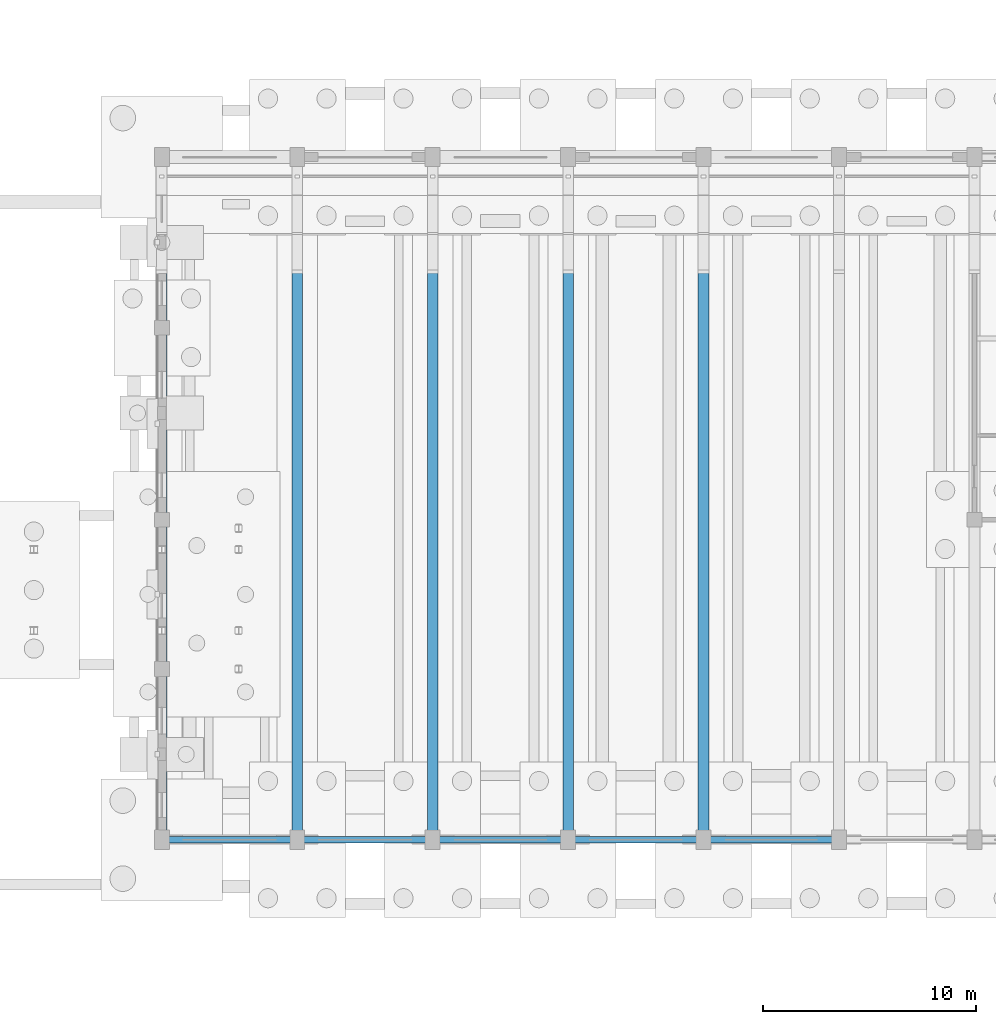
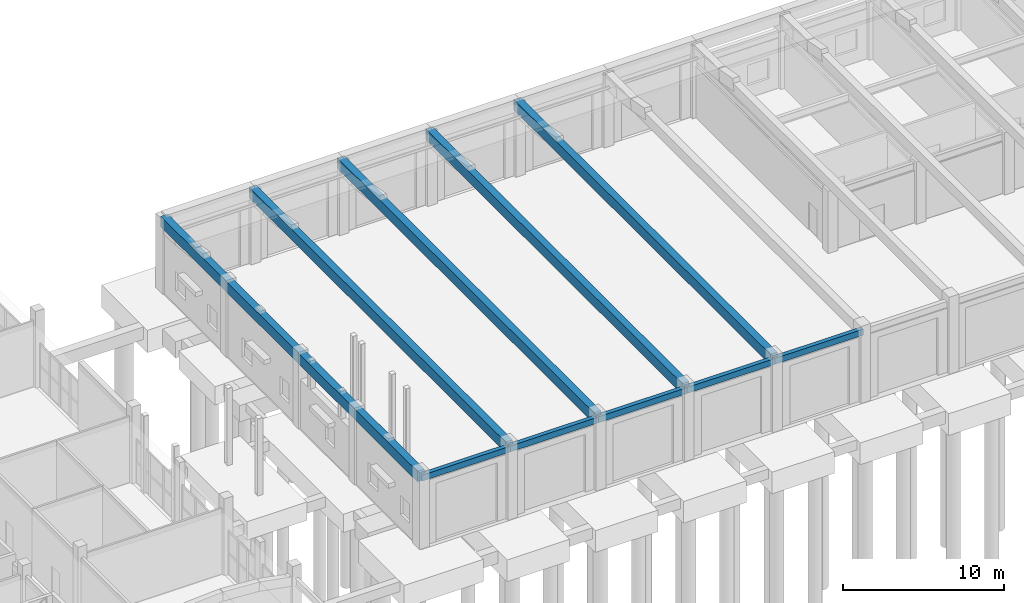
# One storey, part 15 of 60: 10 beams.
"""IFC4 building model written with IfcOpenShell, lengths in metres."""

from ifc_helpers import new_model, si_unit, direction, frame, origin, origin_2d, place, context, subcontext, project, spatial, rectangle, extrude, material, material_profile, profile_set, type_object, element, save


model = new_model("IFC4")

# Units and contexts
model_context = context("Model", 3, precision=1e-05, world=origin(), true_north=direction((0.0, 1.0)))
body_context = subcontext(model_context, "Body", "Model", "MODEL_VIEW")
ifc_project = project(units=[si_unit("LENGTHUNIT", "METRE"), si_unit("AREAUNIT", "SQUARE_METRE"), si_unit("VOLUMEUNIT", "CUBIC_METRE"), si_unit("PLANEANGLEUNIT", "RADIAN"), si_unit("MASSUNIT", "GRAM", prefix="KILO")], contexts=[model_context])

# Site, building, storey
site_placement = place(None, origin())
site = spatial("IfcSite", under=ifc_project, at=site_placement, CompositionType="ELEMENT")
building_placement = place(site_placement, origin())
building = spatial("IfcBuilding", under=site, at=building_placement, Name="Trellovar Central Fire Station", CompositionType="ELEMENT")
storey_placement = place(building_placement, origin())
storey = spatial("IfcBuildingStorey", under=building, at=storey_placement, Name="L01", CompositionType="ELEMENT", Elevation=0.0)

# Beams
ifc_material_1 = material(Name="Concrete C40/50", Category="concrete")
ifc_material_profile_1 = material_profile(ifc_material_1, rectangle(XDim=0.300048828125, YDim=0.449951171875, at=origin_2d()), Name="RC300X450")
ifc_profile_set_1 = profile_set([ifc_material_profile_1], Name="Concrete C40/50")
beam_type_1 = type_object("IfcBeamType", Name="BM-LN1", PredefinedType="LINTEL", material=ifc_profile_set_1)
beam_1_placement = place(storey_placement, frame((35.0, 14.0, 5.125), z_axis=(1.0, 0.0, 0.0), x_axis=(0.0, 1.0, 0.0)))
element("IfcBeam", 1, at=beam_1_placement, inside=storey, type_object=beam_type_1, Name="South apparatus bay 1 header lintel", PredefinedType="LINTEL", context=body_context, shape_type="SweptSolid", body=[
    extrude(rectangle(XDim=0.300048828125, YDim=0.449951171875, at=origin_2d()), origin(), (0.0, 0.0, 1.0), 6.35009765625),
])
beam_2_placement = place(storey_placement, frame((41.35009765625, 14.0, 5.125), z_axis=(1.0, 0.0, 0.0), x_axis=(0.0, 1.0, 0.0)))
element("IfcBeam", 2, at=beam_2_placement, inside=storey, type_object=beam_type_1, Name="South apparatus bay 2 header lintel", PredefinedType="LINTEL", context=body_context, shape_type="SweptSolid", body=[
    extrude(rectangle(XDim=0.300048828125, YDim=0.449951171875, at=origin_2d()), origin(), (0.0, 0.0, 1.0), 6.349853515625),
])
beam_3_placement = place(storey_placement, frame((47.699951171875, 14.0, 5.125), z_axis=(1.0, 0.0, 0.0), x_axis=(0.0, 1.0, 0.0)))
element("IfcBeam", 3, at=beam_3_placement, inside=storey, type_object=beam_type_1, Name="South apparatus bay 3 header lintel", PredefinedType="LINTEL", context=body_context, shape_type="SweptSolid", body=[
    extrude(rectangle(XDim=0.300048828125, YDim=0.449951171875, at=origin_2d()), origin(), (0.0, 0.0, 1.0), 6.35009765625),
])
beam_4_placement = place(storey_placement, frame((54.050048828125, 14.0, 5.125), z_axis=(1.0, 0.0, 0.0), x_axis=(0.0, 1.0, 0.0)))
element("IfcBeam", 4, at=beam_4_placement, inside=storey, type_object=beam_type_1, Name="South apparatus bay 4 header lintel", PredefinedType="LINTEL", context=body_context, shape_type="SweptSolid", body=[
    extrude(rectangle(XDim=0.300048828125, YDim=0.449951171875, at=origin_2d()), origin(), (0.0, 0.0, 1.0), 6.349853515625),
])
beam_5_placement = place(storey_placement, frame((60.39990234375, 14.0, 5.125), z_axis=(1.0, 0.0, 0.0), x_axis=(0.0, 1.0, 0.0)))
element("IfcBeam", 5, at=beam_5_placement, inside=storey, type_object=beam_type_1, Name="South apparatus bay 5 header lintel", PredefinedType="LINTEL", context=body_context, shape_type="SweptSolid", body=[
    extrude(rectangle(XDim=0.300048828125, YDim=0.449951171875, at=origin_2d()), origin(), (0.0, 0.0, 1.0), 6.35009765625),
])
ifc_material_2 = material(Name="Concrete C40/50", Category="concrete")
ifc_material_profile_2 = material_profile(ifc_material_2, rectangle(XDim=0.5, YDim=0.800048828125, at=origin_2d()), Name="RC500X800")
ifc_profile_set_2 = profile_set([ifc_material_profile_2], Name="Concrete C40/50")
beam_type_2 = type_object("IfcBeamType", Name="BM-VT1", PredefinedType="BEAM", material=ifc_profile_set_2)
for number, where, z_axis, x_axis, name in (
    (6, (35.0, 14.0, 5.25), (0.0, 1.0, 0.0), (-1.0, 0.0, 0.0), "Vault tension tie beam VT-1-01"),
    (7, (41.35009765625, 14.0, 5.25), (0.0, 1.0, 0.0), (-1.0, 0.0, 0.0), "Vault tension tie beam VT-1-02"),
    (8, (47.699951171875, 14.0, 5.25), (0.0, 1.0, 0.0), (-1.0, 0.0, 0.0), "Vault tension tie beam VT-1-03"),
    (9, (54.050048828125, 14.0, 5.25), (0.0, 1.0, 0.0), (-1.0, 0.0, 0.0), "Vault tension tie beam VT-1-04"),
    (10, (60.39990234375, 14.0, 5.25), (0.0, 1.0, 0.0), (-1.0, 0.0, 0.0), "Vault tension tie beam VT-1-05"),
):
    element("IfcBeam", number, at=place(storey_placement, frame(where, z_axis=z_axis, x_axis=x_axis)), inside=storey, type_object=beam_type_2, Name=name, PredefinedType="BEAM", context=body_context, shape_type="SweptSolid", body=[
        extrude(rectangle(XDim=0.5, YDim=0.800048828125, at=origin_2d()), origin(), (0.0, 0.0, 1.0), 32.0),
    ])

save(model, "model.ifc")
